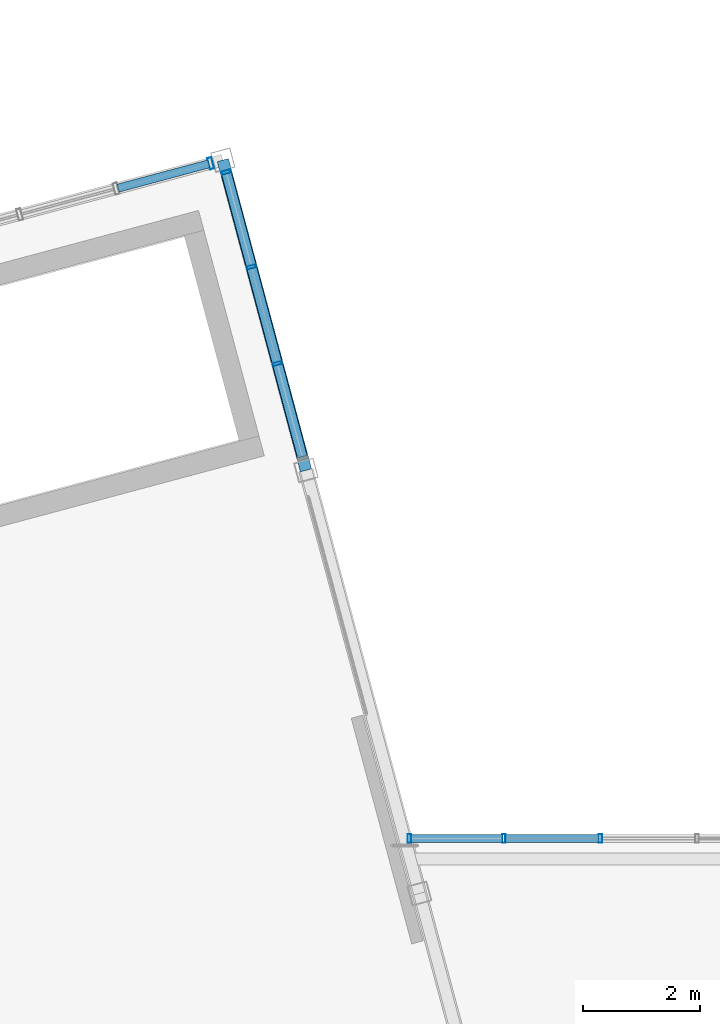
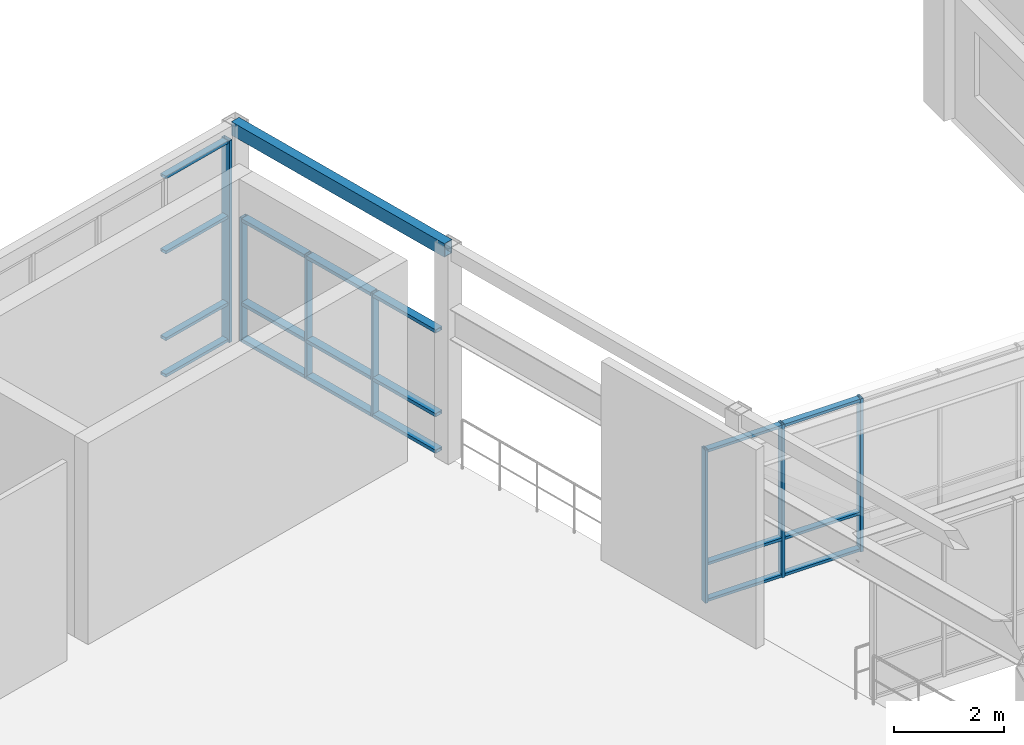
# One storey, part 49 of 99: 26 members, 1 beam, 3 elements without a shape of their own.
"""IFC4 building model written with IfcOpenShell, lengths in metres."""

from ifc_helpers import new_model, si_unit, direction, frame, origin, origin_2d, place, context, subcontext, project, spatial, hollow_rectangle, extrude, material, layer, layer_set, material_profile, profile_set, type_object, element, aggregate, save


model = new_model("IFC4")

# Units and contexts
model_context = context("Model", 3, precision=1e-05, world=origin(), true_north=direction((0.0, 1.0)))
body_context = subcontext(model_context, "Body", "Model", "MODEL_VIEW")
ifc_project = project(units=[si_unit("LENGTHUNIT", "METRE"), si_unit("AREAUNIT", "SQUARE_METRE"), si_unit("VOLUMEUNIT", "CUBIC_METRE"), si_unit("PLANEANGLEUNIT", "RADIAN"), si_unit("MASSUNIT", "GRAM", prefix="KILO")], contexts=[model_context])

# Site, building, storey
site_placement = place(None, origin())
site = spatial("IfcSite", under=ifc_project, at=site_placement, CompositionType="ELEMENT")
building_placement = place(site_placement, origin())
building = spatial("IfcBuilding", under=site, at=building_placement, Name="Ventoquebrada Cableway Terminal", CompositionType="ELEMENT")
storey_placement = place(building_placement, frame((0.0, 0.0, 9.60009765625)))
storey = spatial("IfcBuildingStorey", under=building, at=storey_placement, Name="L02", CompositionType="ELEMENT", Elevation=9.60009765625)

# Curtain wall, member
ifc_material_1 = material(Name="Anodized thermally-broken aluminium", Category="aluminium")
ifc_layer_1 = layer(ifc_material_1, 0.159912109375)
ifc_layer_set_1 = layer_set([ifc_layer_1], Name="Anodized thermally-broken aluminium")
curtain_wall_type_1 = type_object("IfcCurtainWallType", Name="CW-T40", PredefinedType="USERDEFINED", material=ifc_layer_set_1)
curtain_wall_1_placement = place(storey_placement, origin())
curtain_wall_1 = element("IfcCurtainWall", 1, at=curtain_wall_1_placement, inside=storey, type_object=curtain_wall_type_1, Name="Unitised glazed curtain wall CW-110", ObjectType="UNITISED CURTAIN WALL", PredefinedType="USERDEFINED")
ifc_material_profile_1 = material_profile(ifc_material_1, hollow_rectangle(XDim=0.074951171875, YDim=0.199951171875, WallThickness=0.00439453125, at=origin_2d()), Name="CW-MUL-75X200")
ifc_profile_set_1 = profile_set([ifc_material_profile_1], Name="Anodized thermally-broken aluminium")
member_type_1 = type_object("IfcMemberType", Name="CWM-02", PredefinedType="MULLION", material=ifc_profile_set_1)
member_1_placement = place(storey_placement, frame((79.81396484375, 104.159912109375, -0.008056640625), z_axis=(0.0, 0.0, 1.0), x_axis=(-0.965939376699, -0.25876846899, 0.0)))
member_1 = element("IfcMember", 2, at=member_1_placement, type_object=member_type_1, Name="Curtain wall mullion FML-0535", PredefinedType="MULLION", context=body_context, shape_type="SweptSolid", body=[
    extrude(hollow_rectangle(XDim=0.074951171875, YDim=0.199951171875, WallThickness=0.00439453125, at=origin_2d()), origin(), (0.0, 0.0, 1.0), 4.5029296875),
])

# Curtain wall, members
ifc_layer_2 = layer(ifc_material_1, 0.159912109375)
ifc_layer_set_2 = layer_set([ifc_layer_2], Name="Anodized thermally-broken aluminium")
curtain_wall_type_2 = type_object("IfcCurtainWallType", Name="CW-T41", PredefinedType="USERDEFINED", material=ifc_layer_set_2)
curtain_wall_2_placement = place(storey_placement, origin())
curtain_wall_2 = element("IfcCurtainWall", 3, at=curtain_wall_2_placement, inside=storey, type_object=curtain_wall_type_2, Name="Unitised glazed curtain wall CW-114", ObjectType="UNITISED CURTAIN WALL", PredefinedType="USERDEFINED")
ifc_material_profile_2 = material_profile(ifc_material_1, hollow_rectangle(XDim=0.06005859375, YDim=0.14990234375, WallThickness=0.00390625, at=origin_2d()), Name="CW-MUL-60X150")
ifc_profile_set_2 = profile_set([ifc_material_profile_2], Name="Anodized thermally-broken aluminium")
member_type_2 = type_object("IfcMemberType", Name="CWM-03", PredefinedType="MULLION", material=ifc_profile_set_2)
member_2_placement = place(storey_placement, frame((80.9560546875, 100.73193359375, -0.008056640625), z_axis=(0.0, 0.0, 1.0), x_axis=(-0.258751610128, 0.965943892913, 0.0)))
member_2 = element("IfcMember", 4, at=member_2_placement, type_object=member_type_2, Name="Curtain wall mullion FML-0553", PredefinedType="MULLION", context=body_context, shape_type="SweptSolid", body=[
    extrude(hollow_rectangle(XDim=0.06005859375, YDim=0.14990234375, WallThickness=0.00390625, at=origin_2d()), origin(), (0.0, 0.0, 1.0), 2.764892578125),
])
member_3_placement = place(storey_placement, frame((80.511962890625, 102.386962890625, -0.008056640625), z_axis=(0.0, 0.0, 1.0), x_axis=(-0.258751610128, 0.965943892913, 0.0)))
member_3 = element("IfcMember", 5, at=member_3_placement, type_object=member_type_2, Name="Curtain wall mullion FML-0554", PredefinedType="MULLION", context=body_context, shape_type="SweptSolid", body=[
    extrude(hollow_rectangle(XDim=0.06005859375, YDim=0.14990234375, WallThickness=0.00390625, at=origin_2d()), origin(), (0.0, 0.0, 1.0), 2.764892578125),
])
member_4_placement = place(storey_placement, frame((80.077880859375, 104.008056640625, -0.008056640625), z_axis=(0.0, 0.0, 1.0), x_axis=(-0.258751610128, 0.965943892913, 0.0)))
member_4 = element("IfcMember", 6, at=member_4_placement, type_object=member_type_2, Name="Curtain wall mullion FML-0555", PredefinedType="MULLION", context=body_context, shape_type="SweptSolid", body=[
    extrude(hollow_rectangle(XDim=0.06005859375, YDim=0.14990234375, WallThickness=0.00390625, at=origin_2d()), origin(), (0.0, 0.0, 1.0), 2.764892578125),
])

ifc_layer_3 = layer(ifc_material_1, 0.159912109375)
ifc_layer_set_3 = layer_set([ifc_layer_3], Name="Anodized thermally-broken aluminium")
curtain_wall_type_3 = type_object("IfcCurtainWallType", Name="CW-T55", PredefinedType="USERDEFINED", material=ifc_layer_set_3)
curtain_wall_3_placement = place(storey_placement, origin())
curtain_wall_3 = element("IfcCurtainWall", 7, at=curtain_wall_3_placement, inside=storey, type_object=curtain_wall_type_3, Name="Unitised glazed curtain wall CW-174", ObjectType="UNITISED CURTAIN WALL", PredefinedType="USERDEFINED")
member_5_placement = place(storey_placement, frame((86.487060546875, 92.60009765625, -0.008056640625), z_axis=(0.0, 0.0, 1.0), x_axis=(-1.0, 0.0, 0.0)))
member_5 = element("IfcMember", 8, at=member_5_placement, type_object=member_type_2, Name="Curtain wall mullion FML-0874", PredefinedType="MULLION", context=body_context, shape_type="SweptSolid", body=[
    extrude(hollow_rectangle(XDim=0.06005859375, YDim=0.14990234375, WallThickness=0.00390625, at=origin_2d()), origin(), (0.0, 0.0, 1.0), 3.412841796875),
])
member_6_placement = place(storey_placement, frame((84.833984375, 92.60009765625, -0.008056640625), z_axis=(0.0, 0.0, 1.0), x_axis=(-1.0, 0.0, 0.0)))
member_6 = element("IfcMember", 9, at=member_6_placement, type_object=member_type_2, Name="Curtain wall mullion FML-0875", PredefinedType="MULLION", context=body_context, shape_type="SweptSolid", body=[
    extrude(hollow_rectangle(XDim=0.06005859375, YDim=0.14990234375, WallThickness=0.00390625, at=origin_2d()), origin(), (0.0, 0.0, 1.0), 3.412841796875),
])
member_7_placement = place(storey_placement, frame((83.215087890625, 92.60009765625, -0.008056640625), z_axis=(0.0, 0.0, 1.0), x_axis=(-1.0, 0.0, 0.0)))
member_7 = element("IfcMember", 10, at=member_7_placement, type_object=member_type_2, Name="Curtain wall mullion FML-0876", PredefinedType="MULLION", context=body_context, shape_type="SweptSolid", body=[
    extrude(hollow_rectangle(XDim=0.06005859375, YDim=0.14990234375, WallThickness=0.00390625, at=origin_2d()), origin(), (0.0, 0.0, 1.0), 3.412841796875),
])

# Member
ifc_material_profile_3 = material_profile(ifc_material_1, hollow_rectangle(XDim=0.06494140625, YDim=0.139892578125, WallThickness=0.00390625, at=origin_2d()), Name="CW-TRN-65X140")
ifc_profile_set_3 = profile_set([ifc_material_profile_3], Name="Anodized thermally-broken aluminium")
member_type_3 = type_object("IfcMemberType", Name="CWT-01", PredefinedType="USERDEFINED", material=ifc_profile_set_3)
member_8_placement = place(storey_placement, frame((79.782958984375, 104.152099609375, 0.034912109375), z_axis=(-0.965871529052, -0.259021600192, 0.0), x_axis=(0.0, 0.0, 1.0)))
member_8 = element("IfcMember", 11, at=member_8_placement, type_object=member_type_3, Name="Curtain wall transom FTR-1580", ObjectType="TRANSOM", PredefinedType="USERDEFINED", context=body_context, shape_type="SweptSolid", body=[
    extrude(hollow_rectangle(XDim=0.06494140625, YDim=0.139892578125, WallThickness=0.00390625, at=origin_2d()), origin(), (0.0, 0.0, 1.0), 1.60986328125),
])

member_9_placement = place(storey_placement, frame((79.782958984375, 104.152099609375, 0.849853515625), z_axis=(-0.965871529052, -0.259021600192, 0.0), x_axis=(0.0, 0.0, 1.0)))
member_9 = element("IfcMember", 12, at=member_9_placement, type_object=member_type_3, Name="Curtain wall transom FTR-1581", ObjectType="TRANSOM", PredefinedType="USERDEFINED", context=body_context, shape_type="SweptSolid", body=[
    extrude(hollow_rectangle(XDim=0.06494140625, YDim=0.139892578125, WallThickness=0.00390625, at=origin_2d()), origin(), (0.0, 0.0, 1.0), 1.60986328125),
])

member_10_placement = place(storey_placement, frame((79.782958984375, 104.152099609375, 2.783935546875), z_axis=(-0.965871529052, -0.259021600192, 0.0), x_axis=(0.0, 0.0, 1.0)))
member_10 = element("IfcMember", 13, at=member_10_placement, type_object=member_type_3, Name="Curtain wall transom FTR-1582", ObjectType="TRANSOM", PredefinedType="USERDEFINED", context=body_context, shape_type="SweptSolid", body=[
    extrude(hollow_rectangle(XDim=0.06494140625, YDim=0.139892578125, WallThickness=0.00390625, at=origin_2d()), origin(), (0.0, 0.0, 1.0), 1.60986328125),
])

member_11_placement = place(storey_placement, frame((79.782958984375, 104.152099609375, 4.454833984375), z_axis=(-0.965871529052, -0.259021600192, 0.0), x_axis=(0.0, 0.0, 1.0)))
member_11 = element("IfcMember", 14, at=member_11_placement, type_object=member_type_3, Name="Curtain wall transom FTR-1583", ObjectType="TRANSOM", PredefinedType="USERDEFINED", context=body_context, shape_type="SweptSolid", body=[
    extrude(hollow_rectangle(XDim=0.06494140625, YDim=0.139892578125, WallThickness=0.00390625, at=origin_2d()), origin(), (0.0, 0.0, 1.0), 1.60986328125),
])

aggregate(curtain_wall_1, [member_1, member_8, member_9, member_10, member_11])

ifc_material_profile_4 = material_profile(ifc_material_1, hollow_rectangle(XDim=0.06005859375, YDim=0.1298828125, WallThickness=0.00390625, at=origin_2d()), Name="CW-TRN-60X130")
ifc_profile_set_4 = profile_set([ifc_material_profile_4], Name="Anodized thermally-broken aluminium")
member_type_4 = type_object("IfcMemberType", Name="CWT-02", PredefinedType="USERDEFINED", material=ifc_profile_set_4)
member_12_placement = place(storey_placement, frame((86.4619140625, 92.60009765625, 0.034912109375), z_axis=(-1.0, 0.0, 0.0), x_axis=(0.0, 0.0, 1.0)))
member_12 = element("IfcMember", 15, at=member_12_placement, type_object=member_type_4, Name="Curtain wall transom FTR-2549", ObjectType="TRANSOM", PredefinedType="USERDEFINED", context=body_context, shape_type="SweptSolid", body=[
    extrude(hollow_rectangle(XDim=0.06005859375, YDim=0.1298828125, WallThickness=0.00390625, at=origin_2d()), origin(), (0.0, 0.0, 1.0), 1.60302734375),
])

member_13_placement = place(storey_placement, frame((86.4619140625, 92.60009765625, 0.849853515625), z_axis=(-1.0, 0.0, 0.0), x_axis=(0.0, 0.0, 1.0)))
member_13 = element("IfcMember", 16, at=member_13_placement, type_object=member_type_4, Name="Curtain wall transom FTR-2550", ObjectType="TRANSOM", PredefinedType="USERDEFINED", context=body_context, shape_type="SweptSolid", body=[
    extrude(hollow_rectangle(XDim=0.06005859375, YDim=0.1298828125, WallThickness=0.00390625, at=origin_2d()), origin(), (0.0, 0.0, 1.0), 1.60302734375),
])

member_14_placement = place(storey_placement, frame((86.4619140625, 92.60009765625, 3.364990234375), z_axis=(-1.0, 0.0, 0.0), x_axis=(0.0, 0.0, 1.0)))
member_14 = element("IfcMember", 17, at=member_14_placement, type_object=member_type_4, Name="Curtain wall transom FTR-2551", ObjectType="TRANSOM", PredefinedType="USERDEFINED", context=body_context, shape_type="SweptSolid", body=[
    extrude(hollow_rectangle(XDim=0.06005859375, YDim=0.1298828125, WallThickness=0.00390625, at=origin_2d()), origin(), (0.0, 0.0, 1.0), 1.60302734375),
])

member_15_placement = place(storey_placement, frame((84.80908203125, 92.60009765625, 0.034912109375), z_axis=(-1.0, 0.0, 0.0), x_axis=(0.0, 0.0, 1.0)))
member_15 = element("IfcMember", 18, at=member_15_placement, type_object=member_type_4, Name="Curtain wall transom FTR-2552", ObjectType="TRANSOM", PredefinedType="USERDEFINED", context=body_context, shape_type="SweptSolid", body=[
    extrude(hollow_rectangle(XDim=0.06005859375, YDim=0.1298828125, WallThickness=0.00390625, at=origin_2d()), origin(), (0.0, 0.0, 1.0), 1.569091796875),
])

member_16_placement = place(storey_placement, frame((84.80908203125, 92.60009765625, 0.849853515625), z_axis=(-1.0, 0.0, 0.0), x_axis=(0.0, 0.0, 1.0)))
member_16 = element("IfcMember", 19, at=member_16_placement, type_object=member_type_4, Name="Curtain wall transom FTR-2553", ObjectType="TRANSOM", PredefinedType="USERDEFINED", context=body_context, shape_type="SweptSolid", body=[
    extrude(hollow_rectangle(XDim=0.06005859375, YDim=0.1298828125, WallThickness=0.00390625, at=origin_2d()), origin(), (0.0, 0.0, 1.0), 1.569091796875),
])

member_17_placement = place(storey_placement, frame((84.80908203125, 92.60009765625, 3.364990234375), z_axis=(-1.0, 0.0, 0.0), x_axis=(0.0, 0.0, 1.0)))
member_17 = element("IfcMember", 20, at=member_17_placement, type_object=member_type_4, Name="Curtain wall transom FTR-2554", ObjectType="TRANSOM", PredefinedType="USERDEFINED", context=body_context, shape_type="SweptSolid", body=[
    extrude(hollow_rectangle(XDim=0.06005859375, YDim=0.1298828125, WallThickness=0.00390625, at=origin_2d()), origin(), (0.0, 0.0, 1.0), 1.569091796875),
])

aggregate(curtain_wall_3, [member_5, member_6, member_7, member_12, member_13, member_14, member_15, member_16, member_17])

ifc_material_profile_5 = material_profile(ifc_material_1, hollow_rectangle(XDim=0.074951171875, YDim=0.169921875, WallThickness=0.00439453125, at=origin_2d()), Name="CW-TRN-75X170")
ifc_profile_set_5 = profile_set([ifc_material_profile_5], Name="Anodized thermally-broken aluminium")
member_type_5 = type_object("IfcMemberType", Name="CWT-03", PredefinedType="USERDEFINED", material=ifc_profile_set_5)
member_18_placement = place(storey_placement, frame((81.383056640625, 99.135009765625, 0.034912109375), z_axis=(-0.258623671853, 0.965978155217, 0.0), x_axis=(0.0, 0.0, 1.0)))
member_18 = element("IfcMember", 21, at=member_18_placement, type_object=member_type_5, Name="Curtain wall transom FTR-1623", ObjectType="TRANSOM", PredefinedType="USERDEFINED", context=body_context, shape_type="SweptSolid", body=[
    extrude(hollow_rectangle(XDim=0.074951171875, YDim=0.169921875, WallThickness=0.00439453125, at=origin_2d()), origin(), (0.0, 0.0, 1.0), 1.62841796875),
])

member_19_placement = place(storey_placement, frame((81.383056640625, 99.135009765625, 0.849853515625), z_axis=(-0.258623671853, 0.965978155217, 0.0), x_axis=(0.0, 0.0, 1.0)))
member_19 = element("IfcMember", 22, at=member_19_placement, type_object=member_type_5, Name="Curtain wall transom FTR-1624", ObjectType="TRANSOM", PredefinedType="USERDEFINED", context=body_context, shape_type="SweptSolid", body=[
    extrude(hollow_rectangle(XDim=0.074951171875, YDim=0.169921875, WallThickness=0.00439453125, at=origin_2d()), origin(), (0.0, 0.0, 1.0), 1.62841796875),
])

member_20_placement = place(storey_placement, frame((81.383056640625, 99.135009765625, 2.716796875), z_axis=(-0.258623671853, 0.965978155217, 0.0), x_axis=(0.0, 0.0, 1.0)))
member_20 = element("IfcMember", 23, at=member_20_placement, type_object=member_type_5, Name="Curtain wall transom FTR-1625", ObjectType="TRANSOM", PredefinedType="USERDEFINED", context=body_context, shape_type="SweptSolid", body=[
    extrude(hollow_rectangle(XDim=0.074951171875, YDim=0.169921875, WallThickness=0.00439453125, at=origin_2d()), origin(), (0.0, 0.0, 1.0), 1.62841796875),
])

member_21_placement = place(storey_placement, frame((80.948974609375, 100.756103515625, 0.034912109375), z_axis=(-0.258457299457, 0.966022683149, 0.0), x_axis=(0.0, 0.0, 1.0)))
member_21 = element("IfcMember", 24, at=member_21_placement, type_object=member_type_5, Name="Curtain wall transom FTR-1626", ObjectType="TRANSOM", PredefinedType="USERDEFINED", context=body_context, shape_type="SweptSolid", body=[
    extrude(hollow_rectangle(XDim=0.074951171875, YDim=0.169921875, WallThickness=0.00439453125, at=origin_2d()), origin(), (0.0, 0.0, 1.0), 1.66357421875),
])

member_22_placement = place(storey_placement, frame((80.948974609375, 100.756103515625, 0.849853515625), z_axis=(-0.258457299457, 0.966022683149, 0.0), x_axis=(0.0, 0.0, 1.0)))
member_22 = element("IfcMember", 25, at=member_22_placement, type_object=member_type_5, Name="Curtain wall transom FTR-1627", ObjectType="TRANSOM", PredefinedType="USERDEFINED", context=body_context, shape_type="SweptSolid", body=[
    extrude(hollow_rectangle(XDim=0.074951171875, YDim=0.169921875, WallThickness=0.00439453125, at=origin_2d()), origin(), (0.0, 0.0, 1.0), 1.66357421875),
])

member_23_placement = place(storey_placement, frame((80.948974609375, 100.756103515625, 2.716796875), z_axis=(-0.258457299457, 0.966022683149, 0.0), x_axis=(0.0, 0.0, 1.0)))
member_23 = element("IfcMember", 26, at=member_23_placement, type_object=member_type_5, Name="Curtain wall transom FTR-1628", ObjectType="TRANSOM", PredefinedType="USERDEFINED", context=body_context, shape_type="SweptSolid", body=[
    extrude(hollow_rectangle(XDim=0.074951171875, YDim=0.169921875, WallThickness=0.00439453125, at=origin_2d()), origin(), (0.0, 0.0, 1.0), 1.66357421875),
])

member_24_placement = place(storey_placement, frame((80.506103515625, 102.410888671875, 0.034912109375), z_axis=(-0.258623671853, 0.965978155217, 0.0), x_axis=(0.0, 0.0, 1.0)))
member_24 = element("IfcMember", 27, at=member_24_placement, type_object=member_type_5, Name="Curtain wall transom FTR-1629", ObjectType="TRANSOM", PredefinedType="USERDEFINED", context=body_context, shape_type="SweptSolid", body=[
    extrude(hollow_rectangle(XDim=0.074951171875, YDim=0.169921875, WallThickness=0.00439453125, at=origin_2d()), origin(), (0.0, 0.0, 1.0), 1.62841796875),
])

member_25_placement = place(storey_placement, frame((80.506103515625, 102.410888671875, 0.849853515625), z_axis=(-0.258623671853, 0.965978155217, 0.0), x_axis=(0.0, 0.0, 1.0)))
member_25 = element("IfcMember", 28, at=member_25_placement, type_object=member_type_5, Name="Curtain wall transom FTR-1630", ObjectType="TRANSOM", PredefinedType="USERDEFINED", context=body_context, shape_type="SweptSolid", body=[
    extrude(hollow_rectangle(XDim=0.074951171875, YDim=0.169921875, WallThickness=0.00439453125, at=origin_2d()), origin(), (0.0, 0.0, 1.0), 1.62841796875),
])

member_26_placement = place(storey_placement, frame((80.506103515625, 102.410888671875, 2.716796875), z_axis=(-0.258623671853, 0.965978155217, 0.0), x_axis=(0.0, 0.0, 1.0)))
member_26 = element("IfcMember", 29, at=member_26_placement, type_object=member_type_5, Name="Curtain wall transom FTR-1631", ObjectType="TRANSOM", PredefinedType="USERDEFINED", context=body_context, shape_type="SweptSolid", body=[
    extrude(hollow_rectangle(XDim=0.074951171875, YDim=0.169921875, WallThickness=0.00439453125, at=origin_2d()), origin(), (0.0, 0.0, 1.0), 1.62841796875),
])

aggregate(curtain_wall_2, [member_2, member_3, member_4, member_18, member_19, member_20, member_21, member_22, member_23, member_24, member_25, member_26])

# Beam
ifc_material_2 = material(Name="Steel ASTM A500 Grade C", Category="steel")
ifc_material_profile_6 = material_profile(ifc_material_2, hollow_rectangle(XDim=0.199951171875, YDim=0.300048828125, WallThickness=0.012451171875, at=origin_2d()), Name="RHS300X200X12.5")
ifc_profile_set_6 = profile_set([ifc_material_profile_6], Name="Steel ASTM A500 Grade C")
beam_type = type_object("IfcBeamType", Name="SP-ST02", PredefinedType="SPANDREL", material=ifc_profile_set_6)
beam_placement = place(storey_placement, frame((81.446044921875, 98.903076171875, 4.64990234375), z_axis=(-0.258897298886, 0.965904854853, 0.0), x_axis=(-0.965904854853, -0.258897298886, 0.0)))
element("IfcBeam", 30, at=beam_placement, inside=storey, type_object=beam_type, Name="Boarding hall perimeter tie beam FBM-1088", PredefinedType="SPANDREL", context=body_context, shape_type="SweptSolid", body=[
    extrude(hollow_rectangle(XDim=0.199951171875, YDim=0.300048828125, WallThickness=0.012451171875, at=origin_2d()), origin(), (0.0, 0.0, 1.0), 5.50048828125),
])

save(model, "model.ifc")
